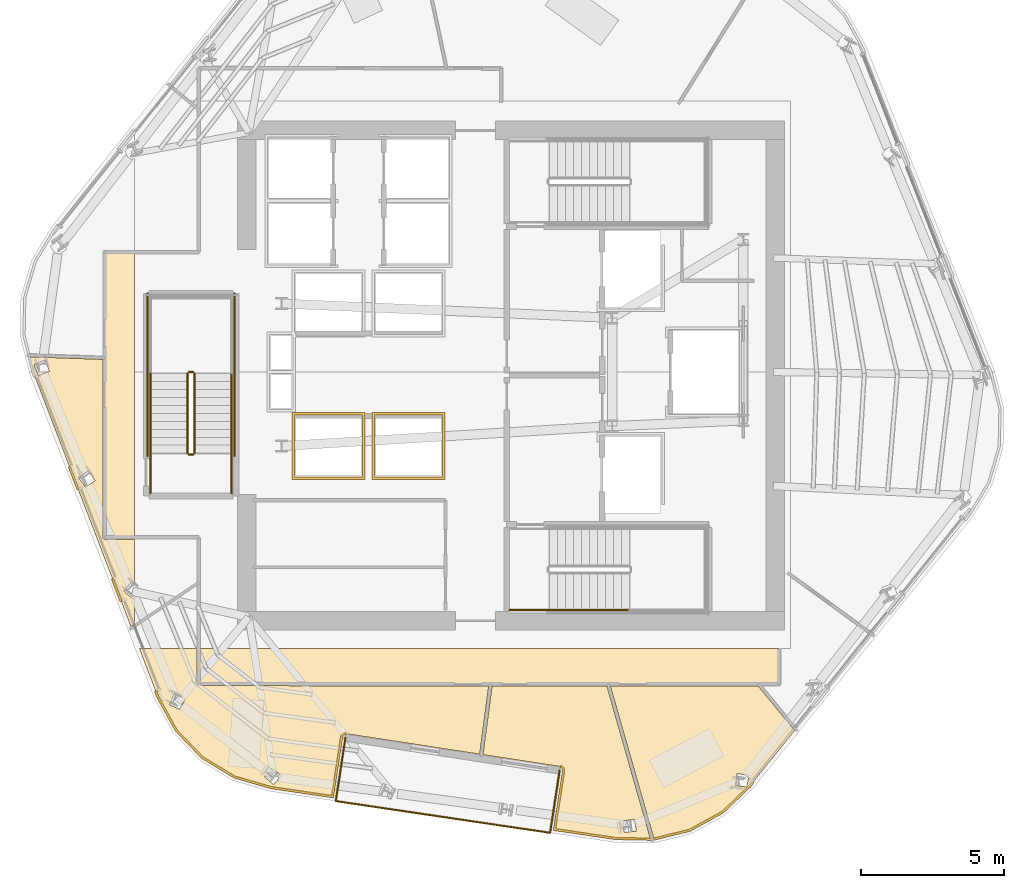
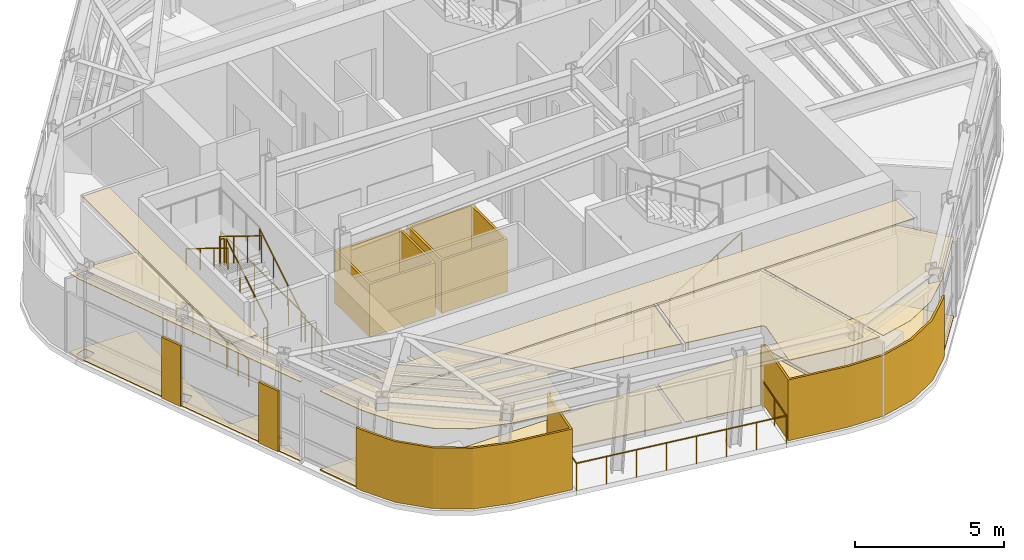
# One storey, part 8 of 12: 16 coverings, 15 railings.
"""IFC4 building model written with IfcOpenShell, lengths in metres."""

from ifc_helpers import new_model, si_unit, direction, frame, origin, origin_2d, place, context, subcontext, project, spatial, polyline, circle, outline, extrude, material, layer, layer_set, type_object, element, save


model = new_model("IFC4")

# Units and contexts
model_context = context("Model", 3, precision=1e-05, world=origin(), true_north=direction((0.0, 1.0)))
body_context = subcontext(model_context, "Body", "Model", "MODEL_VIEW")
ifc_project = project(units=[si_unit("LENGTHUNIT", "METRE"), si_unit("AREAUNIT", "SQUARE_METRE"), si_unit("VOLUMEUNIT", "CUBIC_METRE"), si_unit("PLANEANGLEUNIT", "RADIAN"), si_unit("MASSUNIT", "GRAM", prefix="KILO")], contexts=[model_context])

# Site, building, storey
site_placement = place(None, origin())
site = spatial("IfcSite", under=ifc_project, at=site_placement, CompositionType="ELEMENT")
building_placement = place(site_placement, origin())
building = spatial("IfcBuilding", under=site, at=building_placement, Name="Valkerne Bourse Tower", CompositionType="ELEMENT")
storey_placement = place(building_placement, frame((0.0, 0.0, 243.60009765625)))
storey = spatial("IfcBuildingStorey", under=building, at=storey_placement, Name="L62", CompositionType="ELEMENT", Elevation=243.60009765625)

# Coverings
ifc_material_1 = material(Name="Mineral Fiber Acoustic Ceiling Tile", Category="acoustic")
ifc_layer_1 = layer(ifc_material_1, 0.02490234375)
ifc_layer_set_1 = layer_set([ifc_layer_1], Name="Mineral Fiber Acoustic Ceiling Tile")
covering_type_1 = type_object("IfcCoveringType", Name="COV-CEIL-ACT", PredefinedType="CEILING", material=ifc_layer_set_1)
covering_1_placement = place(storey_placement, frame((0.0, 0.0, 3.25)))
element("IfcCovering", 1, at=covering_1_placement, inside=storey, type_object=covering_type_1, Name="L62 Suspended Ceiling 04", PredefinedType="CEILING", context=body_context, shape_type="SweptSolid", body=[
    extrude(outline(polyline([(32.48095703125, 27.44091796875), (32.48095703125, 21.19921875), (32.498779296875, 21.153564453125), (32.52099609375, 21.13720703125), (32.549560546875, 21.131103515625), (33.60009765625, 21.131103515625), (33.60009765625, 19.528564453125), (33.477294921875, 19.627685546875), (33.216064453125, 19.306396484375), (33.21728515625, 19.304443359375), (33.53662109375, 19.04541015625), (33.60009765625, 19.123291015625), (33.60009765625, 18.167724609375), (33.46533203125, 18.076904296875), (30.03759765625, 26.9990234375), (29.906982421875, 27.531005859375), (32.48095703125, 27.44091796875)]), holes=[polyline([(32.2119140625, 23.192138671875), (31.974853515625, 23.5283203125), (31.635986328125, 23.289794921875), (31.636474609375, 23.28759765625), (31.873291015625, 22.95166015625), (32.21240234375, 23.18994140625), (32.2119140625, 23.192138671875)]), polyline([(30.607421875, 27.024169921875), (30.46337890625, 27.408935546875), (30.0751953125, 27.264404296875), (30.074951171875, 27.261962890625), (30.21923828125, 26.876953125), (30.607421875, 27.021728515625), (30.607421875, 27.024169921875)])]), origin(), (0.0, 0.0, 1.0), 0.02490234375),
])
covering_2_placement = place(storey_placement, frame((0.0, 0.0, 3.25)))
element("IfcCovering", 2, at=covering_2_placement, inside=storey, type_object=covering_type_1, Name="L62 Suspended Ceiling 05", PredefinedType="CEILING", context=body_context, shape_type="SweptSolid", body=[
    extrude(outline(polyline([(48.647216796875, 12.998291015625), (48.640869140625, 13.0673828125), (48.612060546875, 13.11572265625), (48.579345703125, 13.142822265625), (48.527099609375, 13.161865234375), (45.815185546875, 13.576904296875), (46.137451171875, 15.990966796875), (50.161376953125, 15.990966796875), (51.692626953125, 10.615234375), (50.45556640625, 10.64111328125), (48.334716796875, 10.954833984375), (48.647216796875, 12.998291015625)]), holes=[polyline([(51.18896484375, 10.89111328125), (51.1484375, 11.30078125), (50.737060546875, 11.260498046875), (50.734619140625, 11.260009765625), (50.775146484375, 10.85009765625), (51.1865234375, 10.890380859375), (51.18896484375, 10.89111328125)])]), origin(), (0.0, 0.0, 1.0), 0.02490234375),
])
covering_3_placement = place(storey_placement, frame((0.0, 0.0, 3.25)))
element("IfcCovering", 3, at=covering_3_placement, inside=storey, type_object=covering_type_1, Name="L62 Suspended Ceiling 06", PredefinedType="CEILING", context=body_context, shape_type="SweptSolid", body=[
    extrude(outline(polyline([(53.066162109375, 10.927978515625), (51.81396484375, 10.620361328125), (50.283935546875, 15.990966796875), (55.462890625, 15.990966796875), (56.751220703125, 14.422607421875), (55.18212890625, 12.48388671875), (54.222412109375, 11.563720703125), (53.066162109375, 10.927978515625)]), holes=[polyline([(55.143310546875, 12.845458984375), (54.73779296875, 12.913818359375), (54.735595703125, 12.91259765625), (54.667724609375, 12.504150390625), (55.0732421875, 12.435791015625), (55.0751953125, 12.43701171875), (55.143310546875, 12.845458984375)])]), origin(), (0.0, 0.0, 1.0), 0.02490234375),
])
covering_4_placement = place(storey_placement, frame((0.0, 0.0, 3.25)))
element("IfcCovering", 4, at=covering_4_placement, inside=storey, type_object=covering_type_1, Name="L62 Suspended Ceiling 08", PredefinedType="CEILING", context=body_context, shape_type="SweptSolid", body=[
    extrude(outline(polyline([(34.417236328125, 15.599609375), (33.763916015625, 17.300048828125), (35.781005859375, 17.300048828125), (35.781005859375, 16.059326171875), (35.794189453125, 16.019287109375), (35.8271484375, 15.99462890625), (46.018310546875, 15.990966796875), (45.698486328125, 13.5947265625), (41.013916015625, 14.3115234375), (40.9580078125, 14.30908203125), (40.9189453125, 14.293212890625), (40.885986328125, 14.266357421875), (40.862548828125, 14.2314453125), (40.85009765625, 14.19140625), (40.531494140625, 12.109375), (38.375244140625, 12.428466796875), (37.099365234375, 12.799072265625), (35.970703125, 13.482666015625), (35.057373046875, 14.43505859375), (34.417236328125, 15.599609375)]), holes=[polyline([(38.419189453125, 13.107666015625), (38.417236328125, 13.10888671875), (38.1552734375, 12.791259765625), (38.47412109375, 12.52783203125), (38.47607421875, 12.526611328125), (38.738037109375, 12.844482421875), (38.419189453125, 13.107666015625)]), polyline([(35.362060546875, 15.5380859375), (34.9873046875, 15.70751953125), (34.816162109375, 15.33056640625), (34.81787109375, 15.32861328125), (35.1923828125, 15.1591796875), (35.363525390625, 15.53662109375), (35.362060546875, 15.5380859375)])]), origin(), (0.0, 0.0, 1.0), 0.02490234375),
])
ifc_material_2 = material(Name="Bronze Anodised Aluminium AA 6063-T6", Category="aluminium")
ifc_layer_2 = layer(ifc_material_2, 0.030029296875)
ifc_layer_set_2 = layer_set([ifc_layer_2], Name="Bronze Anodised Aluminium AA 6063-T6")
covering_type_2 = type_object("IfcCoveringType", Name="COV-CEIL-METAL", PredefinedType="CEILING", material=ifc_layer_set_2)
covering_5_placement = place(storey_placement, frame((0.0, 0.0, 3.25)))
element("IfcCovering", 5, at=covering_5_placement, inside=storey, type_object=covering_type_2, Name="L62 Suspended Ceiling 01", PredefinedType="CEILING", context=body_context, shape_type="SweptSolid", body=[
    extrude(outline(polyline([(35.85400390625, 17.300048828125), (56.196044921875, 17.300048828125), (56.196044921875, 16.06396484375), (35.85400390625, 16.06396484375), (35.85400390625, 17.300048828125)])), origin(), (0.0, 0.0, 1.0), 0.02490234375),
])
covering_6_placement = place(storey_placement, frame((0.0, 0.0, 3.25)))
element("IfcCovering", 6, at=covering_6_placement, inside=storey, type_object=covering_type_2, Name="L62 Suspended Ceiling 02", PredefinedType="CEILING", context=body_context, shape_type="SweptSolid", body=[
    extrude(outline(polyline([(32.553955078125, 21.2041015625), (32.553955078125, 31.196044921875), (33.60009765625, 31.196044921875), (33.60009765625, 21.2041015625), (32.553955078125, 21.2041015625)])), origin(), (0.0, 0.0, 1.0), 0.02490234375),
])
ifc_layer_3 = layer(ifc_material_2, 0.06005859375)
ifc_layer_set_3 = layer_set([ifc_layer_3], Name="Bronze Anodised Aluminium AA 6063-T6")
covering_type_3 = type_object("IfcCoveringType", Name="COV-CRN-ALUM", PredefinedType="CLADDING", material=ifc_layer_set_3)
covering_7_placement = place(storey_placement, origin())
element("IfcCovering", 7, at=covering_7_placement, inside=storey, type_object=covering_type_3, Name="L62 Wind-Shaped Corner Aluminium Cladding 01", PredefinedType="CLADDING", context=body_context, shape_type="SweptSolid", body=[
    extrude(outline(polyline([(35.94287109375, 13.447998046875), (35.021484375, 14.40869140625), (34.377197265625, 15.580810546875), (34.29541015625, 15.794189453125), (34.369873046875, 15.8232421875), (34.449951171875, 15.61474609375), (35.08642578125, 14.45654296875), (35.993408203125, 13.510986328125), (37.114013671875, 12.832275390625), (38.383056640625, 12.463623046875), (40.50146484375, 12.150390625), (40.814453125, 14.1962890625), (40.818115234375, 14.213623046875), (40.8232421875, 14.230712890625), (40.830078125, 14.246826171875), (40.83837890625, 14.262451171875), (40.848388671875, 14.277099609375), (40.859619140625, 14.290771484375), (40.8720703125, 14.302978515625), (40.8857421875, 14.314208984375), (40.900634765625, 14.323974609375), (40.916259765625, 14.332275390625), (40.9326171875, 14.339111328125), (40.949462890625, 14.343994140625), (40.966796875, 14.347412109375), (40.984375, 14.34912109375), (41.002197265625, 14.348876953125), (41.01953125, 14.34716796875), (41.007568359375, 14.26806640625), (40.997802734375, 14.26904296875), (40.988037109375, 14.26904296875), (40.978271484375, 14.268310546875), (40.968505859375, 14.266357421875), (40.958984375, 14.263427734375), (40.9501953125, 14.259765625), (40.94140625, 14.255126953125), (40.93310546875, 14.249755859375), (40.925537109375, 14.24365234375), (40.918701171875, 14.23681640625), (40.912353515625, 14.22900390625), (40.906982421875, 14.220947265625), (40.902099609375, 14.21240234375), (40.8984375, 14.203369140625), (40.8955078125, 14.19384765625), (40.8935546875, 14.184326171875), (40.568359375, 12.0595703125), (38.365966796875, 12.38525390625), (37.081298828125, 12.758544921875), (35.94287109375, 13.447998046875)])), origin(), (0.0, 0.0, 1.0), 2.5),
])
covering_8_placement = place(storey_placement, origin())
element("IfcCovering", 8, at=covering_8_placement, inside=storey, type_object=covering_type_3, Name="L62 Wind-Shaped Corner Aluminium Cladding 02", PredefinedType="CLADDING", context=body_context, shape_type="SweptSolid", body=[
    extrude(outline(polyline([(32.78466796875, 19.72607421875), (32.859130859375, 19.755126953125), (33.160400390625, 18.970947265625), (33.0859375, 18.94189453125), (32.78466796875, 19.72607421875)])), origin(), (0.0, 0.0, 1.0), 2.5),
])
covering_9_placement = place(storey_placement, origin())
element("IfcCovering", 9, at=covering_9_placement, inside=storey, type_object=covering_type_3, Name="L62 Wind-Shaped Corner Aluminium Cladding 03", PredefinedType="CLADDING", context=body_context, shape_type="SweptSolid", body=[
    extrude(outline(polyline([(31.274169921875, 23.657958984375), (31.3486328125, 23.68701171875), (31.64990234375, 22.90283203125), (31.575439453125, 22.873779296875), (31.274169921875, 23.657958984375)])), origin(), (0.0, 0.0, 1.0), 2.5),
])
covering_10_placement = place(storey_placement, origin())
element("IfcCovering", 10, at=covering_10_placement, inside=storey, type_object=covering_type_3, Name="L62 Wind-Shaped Corner Aluminium Cladding 16", PredefinedType="CLADDING", context=body_context, shape_type="SweptSolid", body=[
    extrude(outline(polyline([(55.214599609375, 12.4541015625), (54.248779296875, 11.528076171875), (53.08251953125, 10.88671875), (51.78955078125, 10.569091796875), (50.451904296875, 10.59716796875), (48.284423828125, 10.917724609375), (48.603759765625, 13.00439453125), (48.604736328125, 13.01416015625), (48.604736328125, 13.02392578125), (48.60400390625, 13.03369140625), (48.60205078125, 13.04345703125), (48.59912109375, 13.052978515625), (48.595458984375, 13.06201171875), (48.5908203125, 13.070556640625), (48.58544921875, 13.078857421875), (48.579345703125, 13.08642578125), (48.572509765625, 13.093505859375), (48.564697265625, 13.099609375), (48.556640625, 13.10498046875), (48.548095703125, 13.10986328125), (48.5390625, 13.113525390625), (48.529541015625, 13.116455078125), (48.52001953125, 13.118408203125), (48.531982421875, 13.197509765625), (48.54931640625, 13.194091796875), (48.56640625, 13.188720703125), (48.58251953125, 13.181884765625), (48.59814453125, 13.173583984375), (48.61279296875, 13.163818359375), (48.62646484375, 13.15234375), (48.638916015625, 13.139892578125), (48.64990234375, 13.126220703125), (48.65966796875, 13.111328125), (48.66796875, 13.095703125), (48.6748046875, 13.07958984375), (48.6796875, 13.0625), (48.68310546875, 13.045166015625), (48.684814453125, 13.027587890625), (48.6845703125, 13.010009765625), (48.682861328125, 12.992431640625), (48.375732421875, 10.985107421875), (50.45849609375, 10.677001953125), (51.78076171875, 10.6494140625), (53.052978515625, 10.9619140625), (54.200927734375, 11.593017578125), (55.155517578125, 12.50830078125), (55.2734375, 12.654052734375), (55.3359375, 12.60400390625), (55.214599609375, 12.4541015625)])), origin(), (0.0, 0.0, 1.0), 2.5),
])
ifc_material_3 = material(Name="Galvanised Painted Steel", Category="steel")
ifc_layer_4 = layer(ifc_material_3, 0.044921875)
ifc_layer_set_4 = layer_set([ifc_layer_4], Name="Galvanised Painted Steel")
covering_type_4 = type_object("IfcCoveringType", Name="COV-FLR-RAF", PredefinedType="FLOORING", material=ifc_layer_set_4)
covering_11_placement = place(storey_placement, origin())
element("IfcCovering", 11, at=covering_11_placement, inside=storey, type_object=covering_type_4, Name="L62 Floor Finish 06", PredefinedType="FLOORING", context=body_context, shape_type="SweptSolid", body=[
    extrude(outline(polyline([(53.066162109375, 10.927978515625), (51.81396484375, 10.620361328125), (50.283935546875, 15.990966796875), (55.462890625, 15.990966796875), (56.751220703125, 14.422607421875), (55.18212890625, 12.48388671875), (54.222412109375, 11.563720703125), (53.066162109375, 10.927978515625)]), holes=[polyline([(55.143310546875, 12.845458984375), (54.73779296875, 12.913818359375), (54.735595703125, 12.91259765625), (54.667724609375, 12.504150390625), (55.0732421875, 12.435791015625), (55.0751953125, 12.43701171875), (55.143310546875, 12.845458984375)])]), origin(), (0.0, 0.0, 1.0), 0.044921875),
])
covering_12_placement = place(storey_placement, origin())
element("IfcCovering", 12, at=covering_12_placement, inside=storey, type_object=covering_type_4, Name="L62 Floor Finish 08", PredefinedType="FLOORING", context=body_context, shape_type="SweptSolid", body=[
    extrude(outline(polyline([(34.417236328125, 15.599609375), (33.763916015625, 17.300048828125), (35.781005859375, 17.300048828125), (35.781005859375, 16.059326171875), (35.794189453125, 16.019287109375), (35.8271484375, 15.99462890625), (46.018310546875, 15.990966796875), (45.698486328125, 13.5947265625), (41.013916015625, 14.3115234375), (40.9580078125, 14.30908203125), (40.9189453125, 14.293212890625), (40.885986328125, 14.266357421875), (40.862548828125, 14.2314453125), (40.85009765625, 14.19140625), (40.531494140625, 12.109375), (38.375244140625, 12.428466796875), (37.099365234375, 12.799072265625), (35.970703125, 13.482666015625), (35.057373046875, 14.43505859375), (34.417236328125, 15.599609375)]), holes=[polyline([(38.419189453125, 13.107666015625), (38.417236328125, 13.10888671875), (38.1552734375, 12.791259765625), (38.47412109375, 12.52783203125), (38.47607421875, 12.526611328125), (38.738037109375, 12.844482421875), (38.419189453125, 13.107666015625)]), polyline([(35.362060546875, 15.5380859375), (34.9873046875, 15.70751953125), (34.816162109375, 15.33056640625), (34.81787109375, 15.32861328125), (35.1923828125, 15.1591796875), (35.363525390625, 15.53662109375), (35.362060546875, 15.5380859375)])]), origin(), (0.0, 0.0, 1.0), 0.044921875),
])
ifc_material_4 = material(Name="Polished Granite Stone", Category="masonry")
ifc_layer_5 = layer(ifc_material_4, 0.030029296875)
ifc_layer_set_5 = layer_set([ifc_layer_5], Name="Polished Granite Stone")
covering_type_5 = type_object("IfcCoveringType", Name="COV-FLR-TERRAZZO", PredefinedType="FLOORING", material=ifc_layer_set_5)
covering_13_placement = place(storey_placement, origin())
element("IfcCovering", 13, at=covering_13_placement, inside=storey, type_object=covering_type_5, Name="L62 Floor Finish 04", PredefinedType="FLOORING", context=body_context, shape_type="SweptSolid", body=[
    extrude(outline(polyline([(32.48095703125, 27.44091796875), (32.48095703125, 21.19921875), (32.498779296875, 21.153564453125), (32.52099609375, 21.13720703125), (32.549560546875, 21.131103515625), (33.60009765625, 21.131103515625), (33.60009765625, 19.528564453125), (33.477294921875, 19.627685546875), (33.216064453125, 19.306396484375), (33.21728515625, 19.304443359375), (33.53662109375, 19.04541015625), (33.60009765625, 19.123291015625), (33.60009765625, 18.167724609375), (33.46533203125, 18.076904296875), (30.03759765625, 26.9990234375), (29.906982421875, 27.531005859375), (32.48095703125, 27.44091796875)]), holes=[polyline([(32.2119140625, 23.192138671875), (31.974853515625, 23.5283203125), (31.635986328125, 23.289794921875), (31.636474609375, 23.28759765625), (31.873291015625, 22.95166015625), (32.21240234375, 23.18994140625), (32.2119140625, 23.192138671875)]), polyline([(30.607421875, 27.024169921875), (30.46337890625, 27.408935546875), (30.0751953125, 27.264404296875), (30.074951171875, 27.261962890625), (30.21923828125, 26.876953125), (30.607421875, 27.021728515625), (30.607421875, 27.024169921875)])]), origin(), (0.0, 0.0, 1.0), 0.02978515625),
])
covering_14_placement = place(storey_placement, origin())
element("IfcCovering", 14, at=covering_14_placement, inside=storey, type_object=covering_type_5, Name="L62 Floor Finish 05", PredefinedType="FLOORING", context=body_context, shape_type="SweptSolid", body=[
    extrude(outline(polyline([(48.647216796875, 12.998291015625), (48.640869140625, 13.0673828125), (48.612060546875, 13.11572265625), (48.579345703125, 13.142822265625), (48.527099609375, 13.161865234375), (45.815185546875, 13.576904296875), (46.137451171875, 15.990966796875), (50.161376953125, 15.990966796875), (51.692626953125, 10.615234375), (50.45556640625, 10.64111328125), (48.334716796875, 10.954833984375), (48.647216796875, 12.998291015625)]), holes=[polyline([(51.18896484375, 10.89111328125), (51.1484375, 11.30078125), (50.737060546875, 11.260498046875), (50.734619140625, 11.260009765625), (50.775146484375, 10.85009765625), (51.1865234375, 10.890380859375), (51.18896484375, 10.89111328125)])]), origin(), (0.0, 0.0, 1.0), 0.02978515625),
])
ifc_material_5 = material(Name="Gypsum Shaftwall Liner Board", Category="gypsum")
ifc_layer_6 = layer(ifc_material_5, 0.080078125)
ifc_layer_set_6 = layer_set([ifc_layer_6], Name="Gypsum Shaftwall Liner Board")
covering_type_6 = type_object("IfcCoveringType", Name="COV-SHF-CLAD", PredefinedType="CLADDING", material=ifc_layer_set_6)
covering_15_placement = place(storey_placement, origin())
element("IfcCovering", 15, at=covering_15_placement, inside=storey, type_object=covering_type_6, Name="L62 Hoistway & Riser Shaftwall Liner 01", PredefinedType="CLADDING", context=body_context, shape_type="SweptSolid", body=[
    extrude(outline(polyline([(41.679931640625, 25.580078125), (41.679931640625, 23.219970703125), (39.1201171875, 23.219970703125), (39.1201171875, 25.580078125), (41.679931640625, 25.580078125)]), holes=[polyline([(41.590087890625, 25.489990234375), (39.2099609375, 25.489990234375), (39.2099609375, 23.31005859375), (41.590087890625, 23.31005859375), (41.590087890625, 25.489990234375)])]), origin(), (0.0, 0.0, 1.0), 2.179931640625),
])
covering_16_placement = place(storey_placement, origin())
element("IfcCovering", 16, at=covering_16_placement, inside=storey, type_object=covering_type_6, Name="L62 Hoistway & Riser Shaftwall Liner 02", PredefinedType="CLADDING", context=body_context, shape_type="SweptSolid", body=[
    extrude(outline(polyline([(44.47998046875, 23.219970703125), (41.919921875, 23.219970703125), (41.919921875, 25.580078125), (44.47998046875, 25.580078125), (44.47998046875, 23.219970703125)]), holes=[polyline([(42.010009765625, 25.489990234375), (42.010009765625, 23.31005859375), (44.389892578125, 23.31005859375), (44.389892578125, 25.489990234375), (42.010009765625, 25.489990234375)])]), origin(), (0.0, 0.0, 1.0), 2.179931640625),
])

# Railings
ifc_material_6 = material(Name="Laminated Tempered Safety Glass", Category="glass")
railing_type_1 = type_object("IfcRailingType", Name="RLG-GUARD-1150", PredefinedType="BALUSTRADE", material=ifc_material_6)
railing_1_placement = place(storey_placement, frame((40.652099609375, 11.946044921875, 0.0)))
element("IfcRailing", 17, at=railing_1_placement, inside=storey, type_object=railing_type_1, Name="L62 V-Notch Terrace Glass Balustrade 1", PredefinedType="BALUSTRADE", context=body_context, shape_type="SweptSolid", body=[
    extrude(circle(Radius=0.02392578125, at=origin_2d()), frame((0.0, 0.0, 1.1259765625), z_axis=(0.151322997182, 0.988484370399, 0.0), x_axis=(-0.988484370399, 0.151322997182, 0.0)), (0.0, 0.0, 1.0), 2.2490234375),
    extrude(circle(Radius=0.02099609375, at=origin_2d()), origin(), (0.0, 0.0, 1.0), 1.101806640625),
    extrude(circle(Radius=0.02099609375, at=origin_2d()), frame((0.170166015625, 1.111572265625, 0.0)), (0.0, 0.0, 1.0), 1.101806640625),
    extrude(circle(Radius=0.02099609375, at=origin_2d()), frame((0.34033203125, 2.22314453125, 0.0)), (0.0, 0.0, 1.0), 1.101806640625),
])
railing_2_placement = place(storey_placement, frame((48.5048828125, 13.01953125, 0.0)))
element("IfcRailing", 18, at=railing_2_placement, inside=storey, type_object=railing_type_1, Name="L62 V-Notch Terrace Glass Balustrade 2", PredefinedType="BALUSTRADE", context=body_context, shape_type="SweptSolid", body=[
    extrude(circle(Radius=0.02392578125, at=origin_2d()), frame((0.0, 0.0, 1.1259765625), z_axis=(-0.151244150041, -0.988496437565, 0.0), x_axis=(0.988496437565, -0.151244150041, 0.0)), (0.0, 0.0, 1.0), 2.21142578125),
    extrude(circle(Radius=0.02099609375, at=origin_2d()), origin(), (0.0, 0.0, 1.0), 1.101806640625),
    extrude(circle(Radius=0.02099609375, at=origin_2d()), frame((-0.167236328125, -1.093017578125, 0.0)), (0.0, 0.0, 1.0), 1.101806640625),
    extrude(circle(Radius=0.02099609375, at=origin_2d()), frame((-0.33447265625, -2.18603515625, 0.0)), (0.0, 0.0, 1.0), 1.101806640625),
])
railing_3_placement = place(storey_placement, frame((48.17041015625, 10.83349609375, 0.0)))
element("IfcRailing", 19, at=railing_3_placement, inside=storey, type_object=railing_type_1, Name="L62 V-Notch Terrace Glass Balustrade 3", PredefinedType="BALUSTRADE", context=body_context, shape_type="SweptSolid", body=[
    extrude(circle(Radius=0.02392578125, at=origin_2d()), frame((0.0, 0.0, 1.1259765625), z_axis=(-0.989227767354, 0.146384508389, 0.0), x_axis=(-0.146384508389, -0.989227767354, 0.0)), (0.0, 0.0, 1.0), 7.60009765625),
    extrude(circle(Radius=0.02099609375, at=origin_2d()), origin(), (0.0, 0.0, 1.0), 1.101806640625),
    extrude(circle(Radius=0.02099609375, at=origin_2d()), frame((-1.073974609375, 0.158935546875, 0.0)), (0.0, 0.0, 1.0), 1.101806640625),
    extrude(circle(Radius=0.02099609375, at=origin_2d()), frame((-2.148193359375, 0.31787109375, 0.0)), (0.0, 0.0, 1.0), 1.101806640625),
    extrude(circle(Radius=0.02099609375, at=origin_2d()), frame((-3.22216796875, 0.476806640625, 0.0)), (0.0, 0.0, 1.0), 1.101806640625),
    extrude(circle(Radius=0.02099609375, at=origin_2d()), frame((-4.296142578125, 0.6357421875, 0.0)), (0.0, 0.0, 1.0), 1.101806640625),
    extrude(circle(Radius=0.02099609375, at=origin_2d()), frame((-5.3701171875, 0.794677734375, 0.0)), (0.0, 0.0, 1.0), 1.101806640625),
    extrude(circle(Radius=0.02099609375, at=origin_2d()), frame((-6.4443359375, 0.95361328125, 0.0)), (0.0, 0.0, 1.0), 1.101806640625),
    extrude(circle(Radius=0.02099609375, at=origin_2d()), frame((-7.518310546875, 1.112548828125, 0.0)), (0.0, 0.0, 1.0), 1.101806640625),
])
railing_type_2 = type_object("IfcRailingType", Name="RLG-ST-GUARD-1120", PredefinedType="GUARDRAIL", material=ifc_material_3)
railing_4_placement = place(storey_placement, frame((46.75, 18.64990234375, 0.0)))
element("IfcRailing", 20, at=railing_4_placement, inside=storey, type_object=railing_type_2, Name="L62 ST-1 stair guard 8", PredefinedType="GUARDRAIL", context=body_context, shape_type="SweptSolid", body=[
    extrude(circle(Radius=0.02392578125, at=origin_2d()), frame((0.0, 0.0, 1.09619140625), z_axis=(1.0, 0.0, 0.0), x_axis=(0.0, 1.0, 0.0)), (0.0, 0.0, 1.0), 1.39990234375),
    extrude(circle(Radius=0.02099609375, at=origin_2d()), origin(), (0.0, 0.0, 1.0), 1.072021484375),
    extrude(circle(Radius=0.02099609375, at=origin_2d()), frame((0.699951171875, 0.0, 0.0)), (0.0, 0.0, 1.0), 1.072021484375),
    extrude(circle(Radius=0.02099609375, at=origin_2d()), frame((1.39990234375, 0.0, 0.0)), (0.0, 0.0, 1.0), 1.072021484375),
])
railing_5_placement = place(storey_placement, frame((35.699951171875, 24.14990234375, 0.172607421875)))
element("IfcRailing", 21, at=railing_5_placement, inside=storey, type_object=railing_type_2, Name="L62 ST-3 stair guard 1", PredefinedType="GUARDRAIL", context=body_context, shape_type="SweptSolid", body=[
    extrude(circle(Radius=0.02392578125, at=origin_2d()), frame((0.0, 0.0, 1.09619140625), z_axis=(0.0, 0.851089632645, 0.525020415988), x_axis=(-1.0, 0.0, 0.0)), (0.0, 0.0, 1.0), 3.2900390625),
    extrude(circle(Radius=0.02099609375, at=origin_2d()), origin(), (0.0, 0.0, 1.0), 1.072021484375),
    extrude(circle(Radius=0.02099609375, at=origin_2d()), frame((0.0, 0.933349609375, 0.57568359375)), (0.0, 0.0, 1.0), 1.072021484375),
    extrude(circle(Radius=0.02099609375, at=origin_2d()), frame((0.0, 1.86669921875, 1.151611328125)), (0.0, 0.0, 1.0), 1.072021484375),
    extrude(circle(Radius=0.02099609375, at=origin_2d()), frame((0.0, 2.800048828125, 1.727294921875)), (0.0, 0.0, 1.0), 1.072021484375),
])
railing_6_placement = place(storey_placement, frame((35.64990234375, 27.0, 1.89990234375)))
element("IfcRailing", 22, at=railing_6_placement, inside=storey, type_object=railing_type_2, Name="L62 ST-3 stair guard 2", PredefinedType="GUARDRAIL", context=body_context, shape_type="SweptSolid", body=[
    extrude(circle(Radius=0.02392578125, at=origin_2d()), frame((0.0, 0.0, 1.09619140625), z_axis=(-1.0, 0.0, 0.0), x_axis=(0.0, -1.0, 0.0)), (0.0, 0.0, 1.0), 0.14990234375),
    extrude(circle(Radius=0.02099609375, at=origin_2d()), origin(), (0.0, 0.0, 1.0), 1.072021484375),
    extrude(circle(Radius=0.02099609375, at=origin_2d()), frame((-0.14990234375, 0.0, 0.0)), (0.0, 0.0, 1.0), 1.072021484375),
])
railing_7_placement = place(storey_placement, frame((35.449951171875, 26.949951171875, 2.072509765625)))
element("IfcRailing", 23, at=railing_7_placement, inside=storey, type_object=railing_type_2, Name="L62 ST-3 stair guard 6", PredefinedType="GUARDRAIL", context=body_context, shape_type="SweptSolid", body=[
    extrude(circle(Radius=0.02392578125, at=origin_2d()), frame((0.0, 0.0, 1.09619140625), z_axis=(0.0, -0.851089632645, 0.525020415988), x_axis=(1.0, 0.0, 0.0)), (0.0, 0.0, 1.0), 3.2900390625),
    extrude(circle(Radius=0.02099609375, at=origin_2d()), origin(), (0.0, 0.0, 1.0), 1.072021484375),
    extrude(circle(Radius=0.02099609375, at=origin_2d()), frame((0.0, -0.933349609375, 0.57568359375)), (0.0, 0.0, 1.0), 1.072021484375),
    extrude(circle(Radius=0.02099609375, at=origin_2d()), frame((0.0, -1.86669921875, 1.151611328125)), (0.0, 0.0, 1.0), 1.072021484375),
    extrude(circle(Radius=0.02099609375, at=origin_2d()), frame((0.0, -2.800048828125, 1.727294921875)), (0.0, 0.0, 1.0), 1.072021484375),
])
railing_8_placement = place(storey_placement, frame((35.64990234375, 24.10009765625, 0.0)))
element("IfcRailing", 24, at=railing_8_placement, inside=storey, type_object=railing_type_2, Name="L62 ST-3 stair guard 7", PredefinedType="GUARDRAIL", context=body_context, shape_type="SweptSolid", body=[
    extrude(circle(Radius=0.02392578125, at=origin_2d()), frame((0.0, 0.0, 1.09619140625), z_axis=(-1.0, 0.0, 0.0), x_axis=(0.0, -1.0, 0.0)), (0.0, 0.0, 1.0), 0.14990234375),
    extrude(circle(Radius=0.02099609375, at=origin_2d()), origin(), (0.0, 0.0, 1.0), 1.072021484375),
    extrude(circle(Radius=0.02099609375, at=origin_2d()), frame((-0.14990234375, 0.0, 0.0)), (0.0, 0.0, 1.0), 1.072021484375),
])
for number, where, name in (
    (25, (37.0, 22.75, 0.0), "L62 ST-3 stair guard 8"),
    (26, (34.14990234375, 22.75, 0.0), "L62 ST-3 stair guard 9"),
):
    element("IfcRailing", number, at=place(storey_placement, frame(where)), inside=storey, type_object=railing_type_2, Name=name, PredefinedType="GUARDRAIL", context=body_context, shape_type="SweptSolid", body=[
        extrude(circle(Radius=0.02392578125, at=origin_2d()), frame((0.0, 0.0, 1.09619140625), z_axis=(0.0, 1.0, 0.0), x_axis=(-1.0, 0.0, 0.0)), (0.0, 0.0, 1.0), 1.39990234375),
        extrude(circle(Radius=0.02099609375, at=origin_2d()), origin(), (0.0, 0.0, 1.0), 1.072021484375),
        extrude(circle(Radius=0.02099609375, at=origin_2d()), frame((0.0, 0.699951171875, 0.0)), (0.0, 0.0, 1.0), 1.072021484375),
        extrude(circle(Radius=0.02099609375, at=origin_2d()), frame((0.0, 1.39990234375, 0.0)), (0.0, 0.0, 1.0), 1.072021484375),
    ])
for number, where, name in (
    (27, (37.10009765625, 24.050048828125, 0.0), "L62 ST-3 stair guard 10"),
    (28, (34.050048828125, 24.050048828125, 0.0), "L62 ST-3 stair guard 11"),
):
    element("IfcRailing", number, at=place(storey_placement, frame(where)), inside=storey, type_object=railing_type_2, Name=name, PredefinedType="GUARDRAIL", context=body_context, shape_type="SweptSolid", body=[
        extrude(circle(Radius=0.02392578125, at=origin_2d()), frame((0.0, 0.0, 1.09619140625), z_axis=(0.0, 1.0, 0.0), x_axis=(-1.0, 0.0, 0.0)), (0.0, 0.0, 1.0), 5.699951171875),
        extrude(circle(Radius=0.02099609375, at=origin_2d()), origin(), (0.0, 0.0, 1.0), 1.072021484375),
        extrude(circle(Radius=0.02099609375, at=origin_2d()), frame((0.0, 1.139892578125, 0.0)), (0.0, 0.0, 1.0), 1.072021484375),
        extrude(circle(Radius=0.02099609375, at=origin_2d()), frame((0.0, 2.280029296875, 0.0)), (0.0, 0.0, 1.0), 1.072021484375),
        extrude(circle(Radius=0.02099609375, at=origin_2d()), frame((0.0, 3.419921875, 0.0)), (0.0, 0.0, 1.0), 1.072021484375),
        extrude(circle(Radius=0.02099609375, at=origin_2d()), frame((0.0, 4.56005859375, 0.0)), (0.0, 0.0, 1.0), 1.072021484375),
        extrude(circle(Radius=0.02099609375, at=origin_2d()), frame((0.0, 5.699951171875, 0.0)), (0.0, 0.0, 1.0), 1.072021484375),
    ])
ifc_material_7 = material(Name="Stainless Steel AISI 316", Category="steel")
railing_type_3 = type_object("IfcRailingType", Name="RLG-ST-HANDRAIL-900", PredefinedType="HANDRAIL", material=ifc_material_7)
railing_9_placement = place(storey_placement, frame((48.14990234375, 18.64990234375, 0.345458984375)))
element("IfcRailing", 29, at=railing_9_placement, inside=storey, type_object=railing_type_3, Name="L62 ST-1 stair handrail 1", PredefinedType="HANDRAIL", context=body_context, shape_type="SweptSolid", body=[
    extrude(circle(Radius=0.02392578125, at=origin_2d()), frame((0.0, 0.0, 0.8759765625), z_axis=(0.851122791225, 0.0, 0.524966660138), x_axis=(0.0, 1.0, 0.0)), (0.0, 0.0, 1.0), 3.289794921875),
    extrude(circle(Radius=0.02099609375, at=origin_2d()), origin(), (0.0, 0.0, 1.0), 0.851806640625),
    extrude(circle(Radius=0.02099609375, at=origin_2d()), frame((0.933349609375, 0.0, 0.57568359375)), (0.0, 0.0, 1.0), 0.851806640625),
    extrude(circle(Radius=0.02099609375, at=origin_2d()), frame((1.86669921875, 0.0, 1.1513671875)), (0.0, 0.0, 1.0), 0.851806640625),
    extrude(circle(Radius=0.02099609375, at=origin_2d()), frame((2.800048828125, 0.0, 1.72705078125)), (0.0, 0.0, 1.0), 0.851806640625),
])
railing_10_placement = place(storey_placement, frame((37.0, 24.14990234375, 0.345458984375)))
element("IfcRailing", 30, at=railing_10_placement, inside=storey, type_object=railing_type_3, Name="L62 ST-3 stair handrail 1", PredefinedType="HANDRAIL", context=body_context, shape_type="SweptSolid", body=[
    extrude(circle(Radius=0.02392578125, at=origin_2d()), frame((0.0, 0.0, 0.8759765625), z_axis=(0.0, 0.851122791225, 0.524966660138), x_axis=(-1.0, 0.0, 0.0)), (0.0, 0.0, 1.0), 3.289794921875),
    extrude(circle(Radius=0.02099609375, at=origin_2d()), origin(), (0.0, 0.0, 1.0), 0.851806640625),
    extrude(circle(Radius=0.02099609375, at=origin_2d()), frame((0.0, 0.933349609375, 0.57568359375)), (0.0, 0.0, 1.0), 0.851806640625),
    extrude(circle(Radius=0.02099609375, at=origin_2d()), frame((0.0, 1.86669921875, 1.1513671875)), (0.0, 0.0, 1.0), 0.851806640625),
    extrude(circle(Radius=0.02099609375, at=origin_2d()), frame((0.0, 2.800048828125, 1.72705078125)), (0.0, 0.0, 1.0), 0.851806640625),
])
railing_11_placement = place(storey_placement, frame((34.14990234375, 26.949951171875, 2.245361328125)))
element("IfcRailing", 31, at=railing_11_placement, inside=storey, type_object=railing_type_3, Name="L62 ST-3 stair handrail 2", PredefinedType="HANDRAIL", context=body_context, shape_type="SweptSolid", body=[
    extrude(circle(Radius=0.02392578125, at=origin_2d()), frame((0.0, 0.0, 0.8759765625), z_axis=(0.0, -0.851089632645, 0.525020415988), x_axis=(1.0, 0.0, 0.0)), (0.0, 0.0, 1.0), 3.2900390625),
    extrude(circle(Radius=0.02099609375, at=origin_2d()), origin(), (0.0, 0.0, 1.0), 0.851806640625),
    extrude(circle(Radius=0.02099609375, at=origin_2d()), frame((0.0, -0.933349609375, 0.57568359375)), (0.0, 0.0, 1.0), 0.851806640625),
    extrude(circle(Radius=0.02099609375, at=origin_2d()), frame((0.0, -1.86669921875, 1.151611328125)), (0.0, 0.0, 1.0), 0.851806640625),
    extrude(circle(Radius=0.02099609375, at=origin_2d()), frame((0.0, -2.800048828125, 1.727294921875)), (0.0, 0.0, 1.0), 0.851806640625),
])

save(model, "model.ifc")
